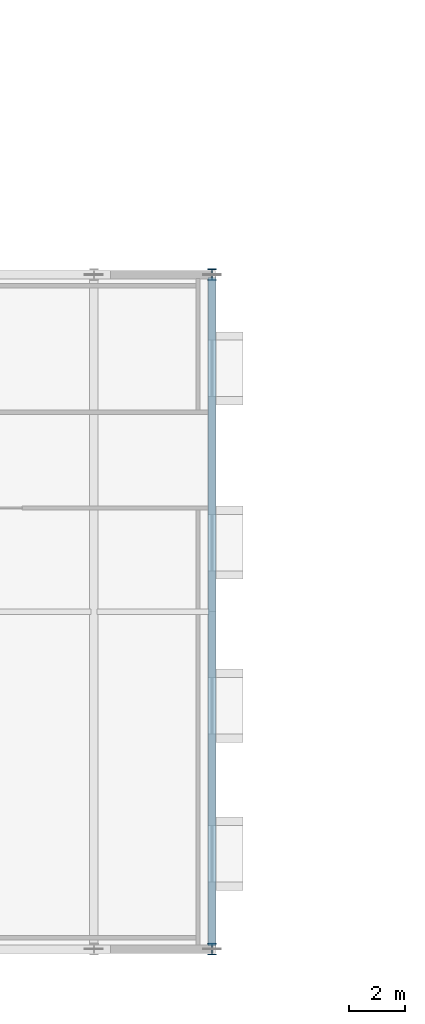
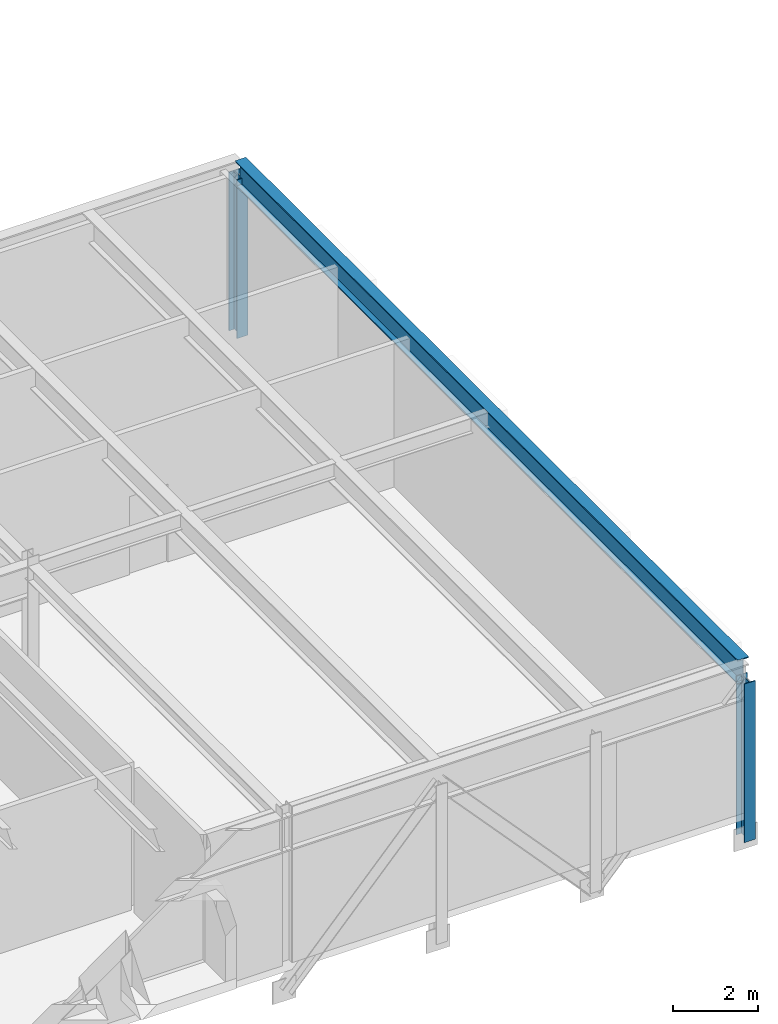
# One storey, part 34 of 67: 2 members, 1 beam.
"""IFC4 building model written with IfcOpenShell, lengths in metres."""

from ifc_helpers import new_model, si_unit, direction, frame, origin, origin_2d, place, context, subcontext, project, spatial, i_section, extrude, material, material_profile, profile_set, type_object, element, save


model = new_model("IFC4")

# Units and contexts
model_context = context("Model", 3, precision=1e-05, world=origin(), true_north=direction((0.0, 1.0)))
body_context = subcontext(model_context, "Body", "Model", "MODEL_VIEW")
ifc_project = project(units=[si_unit("LENGTHUNIT", "METRE"), si_unit("AREAUNIT", "SQUARE_METRE"), si_unit("VOLUMEUNIT", "CUBIC_METRE"), si_unit("PLANEANGLEUNIT", "RADIAN"), si_unit("MASSUNIT", "GRAM", prefix="KILO")], contexts=[model_context])

# Site, building, storey
site_placement = place(None, origin())
site = spatial("IfcSite", under=ifc_project, at=site_placement, CompositionType="ELEMENT")
building_placement = place(site_placement, origin())
building = spatial("IfcBuilding", under=site, at=building_placement, Name="Montelvaro Courts of Justice", CompositionType="ELEMENT")
storey_placement = place(building_placement, frame((0.0, 0.0, 18.89990234375)))
storey = spatial("IfcBuildingStorey", under=building, at=storey_placement, Name="L04", CompositionType="ELEMENT", Elevation=18.89990234375)

# Beam
ifc_material = material(Name="Steel S355", Category="steel")
ifc_material_profile_1 = material_profile(ifc_material, i_section(OverallWidth=0.300048828125, OverallDepth=0.699951171875, WebThickness=0.01708984375, FlangeThickness=0.031982421875, at=origin_2d()), Name="HEB 700")
ifc_profile_set_1 = profile_set([ifc_material_profile_1], Name="Steel S355")
beam_type = type_object("IfcBeamType", Name="Beam_HEB700", PredefinedType="USERDEFINED", material=ifc_profile_set_1)
beam_placement = place(storey_placement, frame((147.60009765625, 0.110107421875, 3.91015625), z_axis=(0.0, 1.0, 0.0), x_axis=(-1.0, 0.0, 0.0)))
element("IfcBeam", 1, at=beam_placement, inside=storey, type_object=beam_type, Name="Beam B-28 L04", ObjectType="GIRDER", PredefinedType="USERDEFINED", context=body_context, shape_type="SweptSolid", body=[
    extrude(i_section(OverallWidth=0.300048828125, OverallDepth=0.699951171875, WebThickness=0.01708984375, FlangeThickness=0.031982421875, at=origin_2d()), origin(), (0.0, 0.0, 1.0), 23.77978515625),
])

# Members
ifc_material_profile_2 = material_profile(ifc_material, i_section(OverallWidth=0.300048828125, OverallDepth=0.39990234375, WebThickness=0.013427734375, FlangeThickness=0.02392578125, at=origin_2d()), Name="HEB 400")
ifc_profile_set_2 = profile_set([ifc_material_profile_2], Name="Steel S355")
member_type = type_object("IfcMemberType", Name="Mem_HEB400_Post", PredefinedType="POST", material=ifc_profile_set_2)
for number, where, z_axis, x_axis, name in (
    (2, (147.60009765625, 0.0, -0.823974609375), (0.0, 0.0, 1.0), (1.0, 0.0, 0.0), "Pratt Cantilever Truss Post MP-01 CTR-BAR2-S-L04-3"),
    (3, (147.60009765625, 24.0, -0.823974609375), (0.0, 0.0, 1.0), (1.0, 0.0, 0.0), "Pratt Cantilever Truss Post MP-01 CTR-BAR2-N-L04-3"),
):
    element("IfcMember", number, at=place(storey_placement, frame(where, z_axis=z_axis, x_axis=x_axis)), inside=storey, type_object=member_type, Name=name, PredefinedType="POST", context=body_context, shape_type="SweptSolid", body=[
        extrude(i_section(OverallWidth=0.300048828125, OverallDepth=0.39990234375, WebThickness=0.013427734375, FlangeThickness=0.02392578125, at=origin_2d()), origin(), (0.0, 0.0, 1.0), 4.580078125),
    ])

save(model, "model.ifc")
